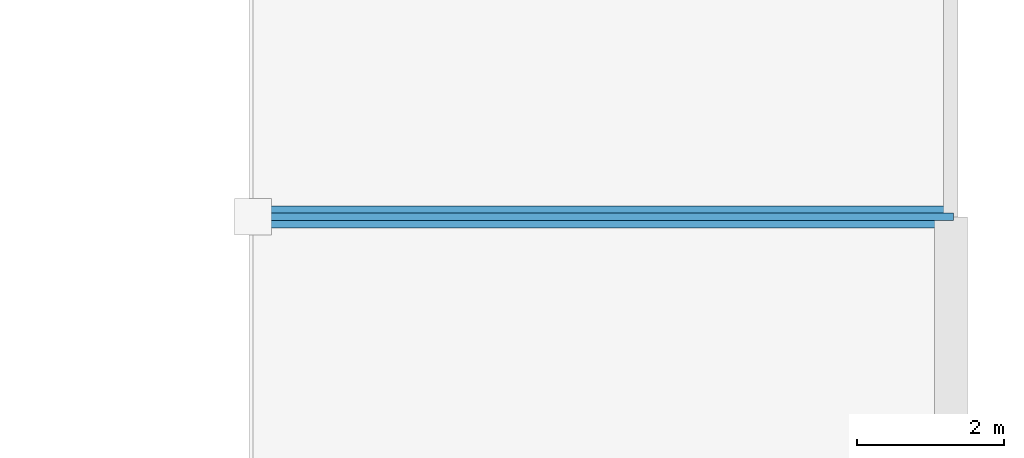
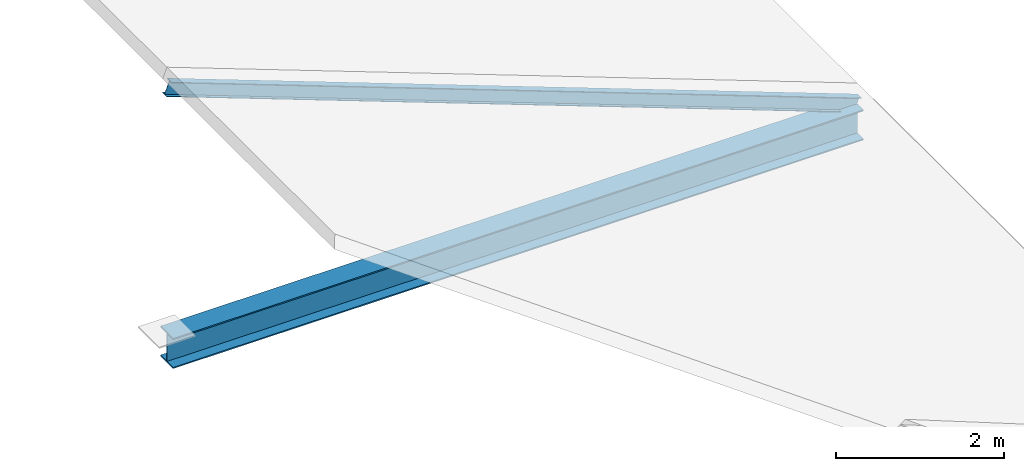
# One storey, part 62 of 101: 1 beam, 1 member.
"""IFC4 building model written with IfcOpenShell, lengths in metres."""

from ifc_helpers import new_model, si_unit, direction, frame, origin, origin_2d, place, context, subcontext, project, spatial, i_section, extrude, material, material_profile, profile_set, type_object, element, save


model = new_model("IFC4")

# Units and contexts
model_context = context("Model", 3, precision=1e-05, world=origin(), true_north=direction((0.0, 1.0)))
body_context = subcontext(model_context, "Body", "Model", "MODEL_VIEW")
ifc_project = project(units=[si_unit("LENGTHUNIT", "METRE"), si_unit("AREAUNIT", "SQUARE_METRE"), si_unit("VOLUMEUNIT", "CUBIC_METRE"), si_unit("PLANEANGLEUNIT", "RADIAN"), si_unit("MASSUNIT", "GRAM", prefix="KILO")], contexts=[model_context])

# Site, building, storey
site_placement = place(None, origin())
site = spatial("IfcSite", under=ifc_project, at=site_placement, CompositionType="ELEMENT")
building_placement = place(site_placement, origin())
building = spatial("IfcBuilding", under=site, at=building_placement, Name="Solvikara Media Centre", CompositionType="ELEMENT")
storey_placement = place(building_placement, frame((0.0, 0.0, 10.199951171875)))
storey = spatial("IfcBuildingStorey", under=building, at=storey_placement, Name="L02", CompositionType="ELEMENT", Elevation=10.199951171875)

# Beam
ifc_material = material(Name="Steel S355JR", Category="steel")
ifc_material_profile_1 = material_profile(ifc_material, i_section(OverallWidth=0.300048828125, OverallDepth=0.43994140625, WebThickness=0.010986328125, FlangeThickness=0.01806640625, at=origin_2d()), Name="H 440x300x11x18")
ifc_profile_set_1 = profile_set([ifc_material_profile_1], Name="Steel S355JR")
beam_type = type_object("IfcBeamType", Name="BM-28", PredefinedType="BEAM", material=ifc_profile_set_1)
beam_placement = place(storey_placement, frame((154.5, 80.5, -0.320068359375), z_axis=(1.0, 0.0, 0.0), x_axis=(0.0, 1.0, 0.0)))
element("IfcBeam", 1, at=beam_placement, inside=storey, type_object=beam_type, Name="BSE-TIE-01", PredefinedType="BEAM", context=body_context, shape_type="SweptSolid", body=[
    extrude(i_section(OverallWidth=0.300048828125, OverallDepth=0.43994140625, WebThickness=0.010986328125, FlangeThickness=0.01806640625, at=origin_2d()), origin(), (0.0, 0.0, 1.0), 9.5),
])

# Member
ifc_material_profile_2 = material_profile(ifc_material, i_section(OverallWidth=0.10009765625, OverallDepth=0.199951171875, WebThickness=0.005615234375, FlangeThickness=0.008056640625, at=origin_2d()), Name="WF 200x100x5.5x8")
ifc_profile_set_2 = profile_set([ifc_material_profile_2], Name="Steel S355JR")
member_type = type_object("IfcMemberType", Name="MB-21", PredefinedType="PURLIN", material=ifc_profile_set_2)
member_placement = place(storey_placement, frame((154.5, 80.5, 3.4609375), z_axis=(0.936542650922, 0.0, -0.350553652104), x_axis=(0.0, 1.0, 0.0)))
element("IfcMember", 2, at=member_placement, inside=storey, type_object=member_type, Name="BSE-PRL-01", PredefinedType="PURLIN", context=body_context, shape_type="SweptSolid", body=[
    extrude(i_section(OverallWidth=0.10009765625, OverallDepth=0.199951171875, WebThickness=0.005615234375, FlangeThickness=0.008056640625, at=origin_2d()), origin(), (0.0, 0.0, 1.0), 10.143798828125),
])

save(model, "model.ifc")
